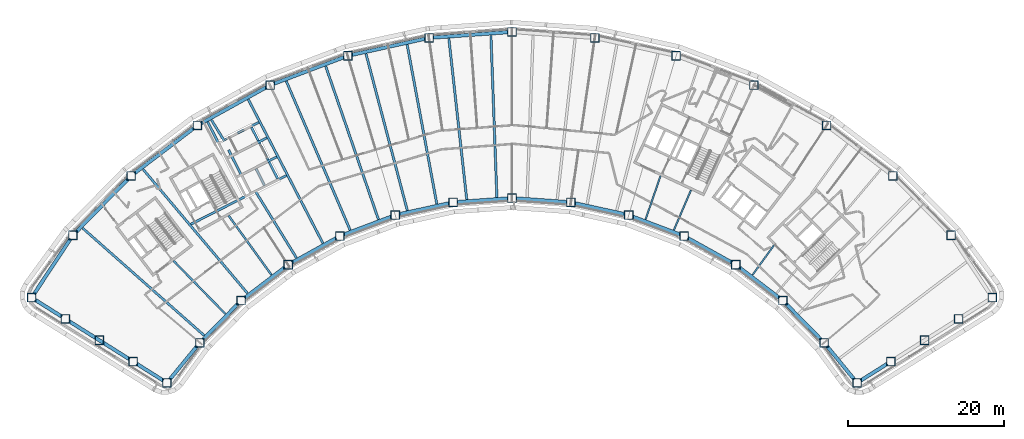
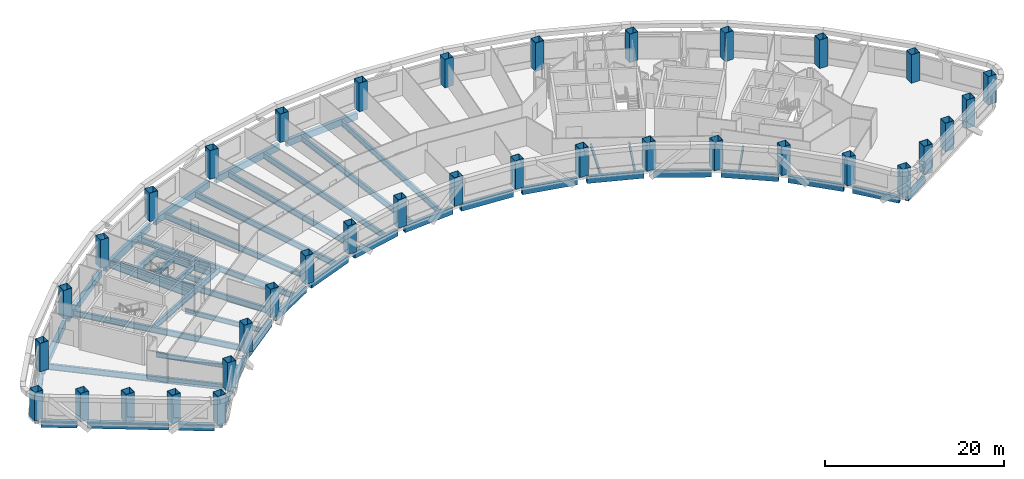
# One storey, part 1 of 16: 51 beams, 36 columns.
"""IFC4 building model written with IfcOpenShell, lengths in metres."""

from ifc_helpers import new_model, si_unit, direction, frame, origin, origin_2d, place, context, subcontext, project, spatial, hollow_rectangle, i_section, extrude, material, material_profile, profile_set, type_object, element, save


model = new_model("IFC4")

# Units and contexts
model_context = context("Model", 3, precision=1e-05, world=origin(), true_north=direction((0.0, 1.0)))
body_context = subcontext(model_context, "Body", "Model", "MODEL_VIEW")
ifc_project = project(units=[si_unit("LENGTHUNIT", "METRE"), si_unit("AREAUNIT", "SQUARE_METRE"), si_unit("VOLUMEUNIT", "CUBIC_METRE"), si_unit("PLANEANGLEUNIT", "RADIAN"), si_unit("MASSUNIT", "GRAM", prefix="KILO")], contexts=[model_context])

# Site, building, storey
site_placement = place(None, origin())
site = spatial("IfcSite", under=ifc_project, at=site_placement, CompositionType="ELEMENT")
building_placement = place(site_placement, origin())
building = spatial("IfcBuilding", under=site, at=building_placement, Name="Tuul Gate Civic Tower", CompositionType="ELEMENT")
storey_placement = place(building_placement, frame((0.0, 0.0, 124.5)))
storey = spatial("IfcBuildingStorey", under=building, at=storey_placement, Name="Level 28", CompositionType="ELEMENT", Elevation=124.5)

# Columns
ifc_material_1 = material(Name="Steel S355", Category="steel")
ifc_material_profile_1 = material_profile(ifc_material_1, hollow_rectangle(XDim=1.10009765625, YDim=1.10009765625, WallThickness=0.035888671875, at=origin_2d()), Name="BOX1100x1100x36")
ifc_profile_set_1 = profile_set([ifc_material_profile_1], Name="Steel S355")
column_type = type_object("IfcColumnType", Name="STR-COLUMN-BOX1100x1100x36", PredefinedType="COLUMN", material=ifc_profile_set_1)
for number, where, z_axis, x_axis, name in (
    (1, (71.5, -20.44189453125, 0.0), (0.0, 0.0, 1.0), (1.0, 0.0, 0.0), "Column"),
    (2, (66.200927734375, -12.428955078125, 0.0), (0.0, 0.0, 1.0), (1.0, 0.0, 0.0), "Column"),
    (3, (58.72607421875, -4.803955078125, 0.0), (0.0, 0.0, 1.0), (1.0, 0.0, 0.0), "Column"),
    (4, (50.23095703125, 1.6640625, 0.0), (0.0, 0.0, 1.0), (1.0, 0.0, 0.0), "Column"),
    (5, (40.89306640625, 6.840087890625, 0.0), (0.0, 0.0, 1.0), (1.0, 0.0, 0.0), "Column"),
    (6, (30.905029296875, 10.616943359375, 0.0), (0.0, 0.0, 1.0), (1.0, 0.0, 0.0), "Column"),
    (7, (20.47802734375, 12.9150390625, 0.0), (0.0, 0.0, 1.0), (1.0, 0.0, 0.0), "Column"),
    (8, (9.8291015625, 13.68603515625, 0.0), (0.0, 0.0, 1.0), (1.0, 0.0, 0.0), "Column"),
    (9, (-0.821044921875, 12.9150390625, 0.0), (0.0, 0.0, 1.0), (1.0, 0.0, 0.0), "Column"),
    (10, (-11.248046875, 10.616943359375, 0.0), (0.0, 0.0, 1.0), (1.0, 0.0, 0.0), "Column"),
    (11, (-21.235107421875, 6.840087890625, 0.0), (0.0, 0.0, 1.0), (1.0, 0.0, 0.0), "Column"),
    (12, (-30.573974609375, 1.6640625, 0.0), (0.0, 0.0, 1.0), (1.0, 0.0, 0.0), "Column"),
    (13, (-39.069091796875, -4.803955078125, 0.0), (0.0, 0.0, 1.0), (1.0, 0.0, 0.0), "Column"),
    (14, (-46.54296875, -12.428955078125, 0.0), (0.0, 0.0, 1.0), (1.0, 0.0, 0.0), "Column"),
    (15, (-51.842041015625, -20.44189453125, 0.0), (0.0, 0.0, 1.0), (1.0, 0.0, 0.0), "Column"),
    (16, (-47.5, -23.176025390625, 0.0), (0.0, 0.0, 1.0), (1.0, 0.0, 0.0), "Column"),
    (17, (-43.156982421875, -25.910888671875, 0.0), (0.0, 0.0, 1.0), (1.0, 0.0, 0.0), "Column"),
    (18, (-38.81494140625, -28.64599609375, 0.0), (0.0, 0.0, 1.0), (1.0, 0.0, 0.0), "Column"),
    (19, (-34.471923828125, -31.3798828125, 0.0), (0.0, 0.0, 1.0), (1.0, 0.0, 0.0), "Column"),
    (20, (-30.251953125, -26.238037109375, 0.0), (0.0, 0.0, 1.0), (1.0, 0.0, 0.0), "Column"),
    (21, (-24.93798828125, -20.81689453125, 0.0), (0.0, 0.0, 1.0), (1.0, 0.0, 0.0), "Column"),
    (22, (-18.89794921875, -16.218017578125, 0.0), (0.0, 0.0, 1.0), (1.0, 0.0, 0.0), "Column"),
    (23, (-12.258056640625, -12.537109375, 0.0), (0.0, 0.0, 1.0), (1.0, 0.0, 0.0), "Column"),
    (24, (-5.156982421875, -9.85205078125, 0.0), (0.0, 0.0, 1.0), (1.0, 0.0, 0.0), "Column"),
    (25, (2.257080078125, -8.218017578125, 0.0), (0.0, 0.0, 1.0), (1.0, 0.0, 0.0), "Column"),
    (26, (9.8291015625, -7.6689453125, 0.0), (0.0, 0.0, 1.0), (1.0, 0.0, 0.0), "Column"),
    (27, (17.40087890625, -8.218017578125, 0.0), (0.0, 0.0, 1.0), (1.0, 0.0, 0.0), "Column"),
    (28, (24.81494140625, -9.85205078125, 0.0), (0.0, 0.0, 1.0), (1.0, 0.0, 0.0), "Column"),
    (29, (31.9150390625, -12.537109375, 0.0), (0.0, 0.0, 1.0), (1.0, 0.0, 0.0), "Column"),
    (30, (38.554931640625, -16.218017578125, 0.0), (0.0, 0.0, 1.0), (1.0, 0.0, 0.0), "Column"),
    (31, (44.595947265625, -20.81689453125, 0.0), (0.0, 0.0, 1.0), (1.0, 0.0, 0.0), "Column"),
    (32, (49.909912109375, -26.238037109375, 0.0), (0.0, 0.0, 1.0), (1.0, 0.0, 0.0), "Column"),
    (33, (54.1298828125, -31.3798828125, 0.0), (0.0, 0.0, 1.0), (1.0, 0.0, 0.0), "Column"),
    (34, (58.471923828125, -28.64599609375, 0.0), (0.0, 0.0, 1.0), (1.0, 0.0, 0.0), "Column"),
    (35, (62.81494140625, -25.910888671875, 0.0), (0.0, 0.0, 1.0), (1.0, 0.0, 0.0), "Column"),
    (36, (67.156982421875, -23.176025390625, 0.0), (0.0, 0.0, 1.0), (1.0, 0.0, 0.0), "Column"),
):
    element("IfcColumn", number, at=place(storey_placement, frame(where, z_axis=z_axis, x_axis=x_axis)), inside=storey, type_object=column_type, Name=name, PredefinedType="COLUMN", context=body_context, shape_type="SweptSolid", body=[
        extrude(hollow_rectangle(XDim=1.10009765625, YDim=1.10009765625, WallThickness=0.035888671875, at=origin_2d()), origin(), (0.0, 0.0, 1.0), 3.89990234375),
    ])

# Beams
ifc_material_2 = material(Name="Steel S355", Category="steel")
ifc_material_profile_2 = material_profile(ifc_material_2, i_section(OverallWidth=0.199951171875, OverallDepth=0.5, WebThickness=0.010009765625, FlangeThickness=0.01611328125, at=origin_2d()), Name="PG500x200x10x16")
ifc_profile_set_2 = profile_set([ifc_material_profile_2], Name="Steel S355")
beam_type_1 = type_object("IfcBeamType", Name="STR-FLOOR BEAM-PG500x200x10x16", PredefinedType="BEAM", material=ifc_profile_set_2)
beam_1_placement = place(storey_placement, frame((40.6982421875, -17.535400390625, -0.550048828125), z_axis=(0.586092436702, 0.810244195068, 0.0), x_axis=(-0.810244195068, 0.586092436702, 0.0)))
element("IfcBeam", 37, at=beam_1_placement, inside=storey, type_object=beam_type_1, Name="Floor beam", PredefinedType="BEAM", context=body_context, shape_type="SweptSolid", body=[
    extrude(i_section(OverallWidth=0.199951171875, OverallDepth=0.5, WebThickness=0.010009765625, FlangeThickness=0.01611328125, at=origin_2d()), origin(), (0.0, 0.0, 1.0), 4.73779296875),
])
beam_2_placement = place(storey_placement, frame((30.60546875, -11.7744140625, -0.550048828125), z_axis=(0.394202846621, 0.919023457653, 0.0), x_axis=(-0.919023457653, 0.394202846621, 0.0)))
element("IfcBeam", 38, at=beam_2_placement, inside=storey, type_object=beam_type_1, Name="Floor beam", PredefinedType="BEAM", context=body_context, shape_type="SweptSolid", body=[
    extrude(i_section(OverallWidth=0.199951171875, OverallDepth=0.5, WebThickness=0.010009765625, FlangeThickness=0.01611328125, at=origin_2d()), origin(), (0.0, 0.0, 1.0), 5.611083984375),
])
beam_3_placement = place(storey_placement, frame((26.97509765625, -10.401611328125, -0.550048828125), z_axis=(0.325486996398, 0.945546516664, 0.0), x_axis=(-0.945546516664, 0.325486996398, 0.0)))
element("IfcBeam", 39, at=beam_3_placement, inside=storey, type_object=beam_type_1, Name="Floor beam", PredefinedType="BEAM", context=body_context, shape_type="SweptSolid", body=[
    extrude(i_section(OverallWidth=0.199951171875, OverallDepth=0.5, WebThickness=0.010009765625, FlangeThickness=0.01611328125, at=origin_2d()), origin(), (0.0, 0.0, 1.0), 5.930908203125),
])
ifc_material_3 = material(Name="Steel S355", Category="steel")
ifc_material_profile_3 = material_profile(ifc_material_3, i_section(OverallWidth=0.25, OverallDepth=0.64990234375, WebThickness=0.011962890625, FlangeThickness=0.02001953125, at=origin_2d()), Name="PG650x250x12x20")
ifc_profile_set_3 = profile_set([ifc_material_profile_3], Name="Steel S355")
beam_type_2 = type_object("IfcBeamType", Name="STR-FLOOR BEAM-PG650x250x12x20", PredefinedType="BEAM", material=ifc_profile_set_3)
beam_4_placement = place(storey_placement, frame((-21.040771484375, -17.53515625, -0.625), z_axis=(-0.586071957424, 0.810259008417, 0.0), x_axis=(-0.810259008417, -0.586071957424, 0.0)))
element("IfcBeam", 40, at=beam_4_placement, inside=storey, type_object=beam_type_2, Name="Floor beam", PredefinedType="BEAM", context=body_context, shape_type="SweptSolid", body=[
    extrude(i_section(OverallWidth=0.25, OverallDepth=0.64990234375, WebThickness=0.011962890625, FlangeThickness=0.02001953125, at=origin_2d()), origin(), (0.0, 0.0, 1.0), 9.4111328125),
])
beam_5_placement = place(storey_placement, frame((-26.96923828125, -22.531982421875, -0.625), z_axis=(-0.698693179665, 0.715421442711, 0.0), x_axis=(-0.715421442711, -0.698693179665, 0.0)))
element("IfcBeam", 41, at=beam_5_placement, inside=storey, type_object=beam_type_2, Name="Floor beam", PredefinedType="BEAM", context=body_context, shape_type="SweptSolid", body=[
    extrude(i_section(OverallWidth=0.25, OverallDepth=0.64990234375, WebThickness=0.011962890625, FlangeThickness=0.02001953125, at=origin_2d()), origin(), (0.0, 0.0, 1.0), 9.5302734375),
])
ifc_material_4 = material(Name="Steel S355", Category="steel")
ifc_material_profile_4 = material_profile(ifc_material_4, i_section(OverallWidth=0.300048828125, OverallDepth=0.800048828125, WebThickness=0.013916015625, FlangeThickness=0.02490234375, at=origin_2d()), Name="PG800x300x14x25")
ifc_profile_set_4 = profile_set([ifc_material_profile_4], Name="Steel S355")
beam_type_3 = type_object("IfcBeamType", Name="STR-FLOOR BEAM-PG800x300x14x25", PredefinedType="BEAM", material=ifc_profile_set_4)
beam_6_placement = place(storey_placement, frame((7.888427734375, -7.55908203125, -0.699951171875), z_axis=(-0.036822059508, 0.999321838015, 0.0), x_axis=(-0.999321838015, -0.036822059508, 0.0)))
element("IfcBeam", 42, at=beam_6_placement, inside=storey, type_object=beam_type_3, Name="Floor beam", PredefinedType="BEAM", context=body_context, shape_type="SweptSolid", body=[
    extrude(i_section(OverallWidth=0.300048828125, OverallDepth=0.800048828125, WebThickness=0.013916015625, FlangeThickness=0.02490234375, at=origin_2d()), origin(), (0.0, 0.0, 1.0), 20.8125),
])
beam_7_placement = place(storey_placement, frame((4.017578125, -7.839599609375, -0.699951171875), z_axis=(-0.110277043848, 0.993900887212, 0.0), x_axis=(-0.993900887212, -0.110277043848, 0.0)))
element("IfcBeam", 43, at=beam_7_placement, inside=storey, type_object=beam_type_3, Name="Floor beam", PredefinedType="BEAM", context=body_context, shape_type="SweptSolid", body=[
    extrude(i_section(OverallWidth=0.300048828125, OverallDepth=0.800048828125, WebThickness=0.013916015625, FlangeThickness=0.02490234375, at=origin_2d()), origin(), (0.0, 0.0, 1.0), 20.81494140625),
])
beam_8_placement = place(storey_placement, frame((0.180419921875, -8.419677734375, -0.699951171875), z_axis=(-0.183145230157, 0.983085868412, 0.0), x_axis=(-0.983085868412, -0.183145230157, 0.0)))
element("IfcBeam", 44, at=beam_8_placement, inside=storey, type_object=beam_type_3, Name="Floor beam", PredefinedType="BEAM", context=body_context, shape_type="SweptSolid", body=[
    extrude(i_section(OverallWidth=0.300048828125, OverallDepth=0.800048828125, WebThickness=0.013916015625, FlangeThickness=0.02490234375, at=origin_2d()), origin(), (0.0, 0.0, 1.0), 20.8115234375),
])
beam_9_placement = place(storey_placement, frame((-3.609619140625, -9.2548828125, -0.699951171875), z_axis=(-0.255004720301, 0.96693980817, 0.0), x_axis=(-0.96693980817, -0.255004720301, 0.0)))
element("IfcBeam", 45, at=beam_9_placement, inside=storey, type_object=beam_type_3, Name="Floor beam", PredefinedType="BEAM", context=body_context, shape_type="SweptSolid", body=[
    extrude(i_section(OverallWidth=0.300048828125, OverallDepth=0.800048828125, WebThickness=0.013916015625, FlangeThickness=0.02490234375, at=origin_2d()), origin(), (0.0, 0.0, 1.0), 20.817626953125),
])
beam_10_placement = place(storey_placement, frame((-7.3173828125, -10.401611328125, -0.699951171875), z_axis=(-0.325486974479, 0.945546524209, 0.0), x_axis=(-0.945546524209, -0.325486974479, 0.0)))
element("IfcBeam", 46, at=beam_10_placement, inside=storey, type_object=beam_type_3, Name="Floor beam", PredefinedType="BEAM", context=body_context, shape_type="SweptSolid", body=[
    extrude(i_section(OverallWidth=0.300048828125, OverallDepth=0.800048828125, WebThickness=0.013916015625, FlangeThickness=0.02490234375, at=origin_2d()), origin(), (0.0, 0.0, 1.0), 20.809326171875),
])
beam_11_placement = place(storey_placement, frame((-10.94775390625, -11.774169921875, -0.699951171875), z_axis=(-0.394200920337, 0.919024283904, 0.0), x_axis=(-0.919024283904, -0.394200920337, 0.0)))
element("IfcBeam", 47, at=beam_11_placement, inside=storey, type_object=beam_type_3, Name="Floor beam", PredefinedType="BEAM", context=body_context, shape_type="SweptSolid", body=[
    extrude(i_section(OverallWidth=0.300048828125, OverallDepth=0.800048828125, WebThickness=0.013916015625, FlangeThickness=0.02490234375, at=origin_2d()), origin(), (0.0, 0.0, 1.0), 20.8193359375),
])
beam_12_placement = place(storey_placement, frame((-14.442626953125, -13.462158203125, -0.699951171875), z_axis=(-0.460777059353, 0.887515916237, 0.0), x_axis=(-0.887515916237, -0.460777059353, 0.0)))
element("IfcBeam", 48, at=beam_12_placement, inside=storey, type_object=beam_type_3, Name="Floor beam", PredefinedType="BEAM", context=body_context, shape_type="SweptSolid", body=[
    extrude(i_section(OverallWidth=0.300048828125, OverallDepth=0.800048828125, WebThickness=0.013916015625, FlangeThickness=0.02490234375, at=origin_2d()), origin(), (0.0, 0.0, 1.0), 20.8076171875),
])
beam_13_placement = place(storey_placement, frame((-17.837158203125, -15.343994140625, -0.699951171875), z_axis=(-0.524856706834, 0.851190599861, 0.0), x_axis=(-0.851190599861, -0.524856706834, 0.0)))
element("IfcBeam", 49, at=beam_13_placement, inside=storey, type_object=beam_type_3, Name="Floor beam", PredefinedType="BEAM", context=body_context, shape_type="SweptSolid", body=[
    extrude(i_section(OverallWidth=0.300048828125, OverallDepth=0.800048828125, WebThickness=0.013916015625, FlangeThickness=0.02490234375, at=origin_2d()), origin(), (0.0, 0.0, 1.0), 20.82275390625),
])
beam_14_placement = place(storey_placement, frame((-24.12890625, -19.88671875, -0.699951171875), z_axis=(-0.644132135775, 0.764914238109, 0.0), x_axis=(-0.764914238109, -0.644132135775, 0.0)))
element("IfcBeam", 50, at=beam_14_placement, inside=storey, type_object=beam_type_3, Name="Floor beam", PredefinedType="BEAM", context=body_context, shape_type="SweptSolid", body=[
    extrude(i_section(OverallWidth=0.300048828125, OverallDepth=0.800048828125, WebThickness=0.013916015625, FlangeThickness=0.02490234375, at=origin_2d()), origin(), (0.0, 0.0, 1.0), 20.82568359375),
])
beam_15_placement = place(storey_placement, frame((-29.686767578125, -25.30419921875, -0.699951171875), z_axis=(-0.749447427269, 0.662063859277, 0.0), x_axis=(-0.662063859277, -0.749447427269, 0.0)))
element("IfcBeam", 51, at=beam_15_placement, inside=storey, type_object=beam_type_3, Name="Floor beam", PredefinedType="BEAM", context=body_context, shape_type="SweptSolid", body=[
    extrude(i_section(OverallWidth=0.300048828125, OverallDepth=0.800048828125, WebThickness=0.013916015625, FlangeThickness=0.02490234375, at=origin_2d()), origin(), (0.0, 0.0, 1.0), 20.82861328125),
])
beam_16_placement = place(storey_placement, frame((-19.1279296875, -4.762939453125, -0.699951171875), z_axis=(-0.890986861795, -0.454029087294, 0.0), x_axis=(0.454029087294, -0.890986861795, 0.0)))
element("IfcBeam", 52, at=beam_16_placement, inside=storey, type_object=beam_type_3, Name="Floor beam", PredefinedType="BEAM", context=body_context, shape_type="SweptSolid", body=[
    extrude(i_section(OverallWidth=0.300048828125, OverallDepth=0.800048828125, WebThickness=0.013916015625, FlangeThickness=0.02490234375, at=origin_2d()), origin(), (0.0, 0.0, 1.0), 4.31884765625),
])
beam_17_placement = place(storey_placement, frame((-23.244384765625, -6.860595703125, -0.699951171875), z_axis=(-0.89100408468, -0.453995287513, 0.0), x_axis=(0.453995287513, -0.89100408468, 0.0)))
element("IfcBeam", 53, at=beam_17_placement, inside=storey, type_object=beam_type_3, Name="Floor beam", PredefinedType="BEAM", context=body_context, shape_type="SweptSolid", body=[
    extrude(i_section(OverallWidth=0.300048828125, OverallDepth=0.800048828125, WebThickness=0.013916015625, FlangeThickness=0.02490234375, at=origin_2d()), origin(), (0.0, 0.0, 1.0), 9.1552734375),
])
beam_18_placement = place(storey_placement, frame((-20.3720703125, -2.366455078125, -0.699951171875), z_axis=(-0.890986298779, -0.454030192155, 0.0), x_axis=(0.454030192155, -0.890986298779, 0.0)))
element("IfcBeam", 54, at=beam_18_placement, inside=storey, type_object=beam_type_3, Name="Floor beam", PredefinedType="BEAM", context=body_context, shape_type="SweptSolid", body=[
    extrude(i_section(OverallWidth=0.300048828125, OverallDepth=0.800048828125, WebThickness=0.013916015625, FlangeThickness=0.02490234375, at=origin_2d()), origin(), (0.0, 0.0, 1.0), 4.5185546875),
])
beam_19_placement = place(storey_placement, frame((-21.63916015625, 0.07421875, -0.699951171875), z_axis=(-0.891009505625, -0.453984648293, 0.0), x_axis=(0.453984648293, -0.891009505625, 0.0)))
element("IfcBeam", 55, at=beam_19_placement, inside=storey, type_object=beam_type_3, Name="Floor beam", PredefinedType="BEAM", context=body_context, shape_type="SweptSolid", body=[
    extrude(i_section(OverallWidth=0.300048828125, OverallDepth=0.800048828125, WebThickness=0.013916015625, FlangeThickness=0.02490234375, at=origin_2d()), origin(), (0.0, 0.0, 1.0), 4.7216796875),
])
beam_20_placement = place(storey_placement, frame((-22.676025390625, 2.071044921875, -0.699951171875), z_axis=(-0.891004806101, -0.453993871659, 0.0), x_axis=(0.453993871659, -0.891004806101, 0.0)))
element("IfcBeam", 56, at=beam_20_placement, inside=storey, type_object=beam_type_3, Name="Floor beam", PredefinedType="BEAM", context=body_context, shape_type="SweptSolid", body=[
    extrude(i_section(OverallWidth=0.300048828125, OverallDepth=0.800048828125, WebThickness=0.013916015625, FlangeThickness=0.02490234375, at=origin_2d()), origin(), (0.0, 0.0, 1.0), 4.8876953125),
])
beam_21_placement = place(storey_placement, frame((-20.2509765625, -5.166748046875, -0.699951171875), z_axis=(-0.45399587725, 0.891003784189, 0.0), x_axis=(-0.891003784189, -0.45399587725, 0.0)))
element("IfcBeam", 57, at=beam_21_placement, inside=storey, type_object=beam_type_3, Name="Floor beam", PredefinedType="BEAM", context=body_context, shape_type="SweptSolid", body=[
    extrude(i_section(OverallWidth=0.300048828125, OverallDepth=0.800048828125, WebThickness=0.013916015625, FlangeThickness=0.02490234375, at=origin_2d()), origin(), (0.0, 0.0, 1.0), 2.39990234375),
])
beam_22_placement = place(storey_placement, frame((-21.476806640625, -2.760986328125, -0.699951171875), z_axis=(-0.454016840826, 0.890993102244, 0.0), x_axis=(-0.890993102244, -0.454016840826, 0.0)))
element("IfcBeam", 58, at=beam_22_placement, inside=storey, type_object=beam_type_3, Name="Floor beam", PredefinedType="BEAM", context=body_context, shape_type="SweptSolid", body=[
    extrude(i_section(OverallWidth=0.300048828125, OverallDepth=0.800048828125, WebThickness=0.013916015625, FlangeThickness=0.02490234375, at=origin_2d()), origin(), (0.0, 0.0, 1.0), 2.449951171875),
])
beam_23_placement = place(storey_placement, frame((-22.72509765625, -0.310791015625, -0.699951171875), z_axis=(-0.454111452849, 0.890944885159, 0.0), x_axis=(-0.890944885159, -0.454111452849, 0.0)))
element("IfcBeam", 59, at=beam_23_placement, inside=storey, type_object=beam_type_3, Name="Floor beam", PredefinedType="BEAM", context=body_context, shape_type="SweptSolid", body=[
    extrude(i_section(OverallWidth=0.300048828125, OverallDepth=0.800048828125, WebThickness=0.013916015625, FlangeThickness=0.02490234375, at=origin_2d()), origin(), (0.0, 0.0, 1.0), 1.949951171875),
])
beam_24_placement = place(storey_placement, frame((-21.94384765625, -6.029296875, -0.699951171875), z_axis=(-0.45399587725, 0.891003784189, 0.0), x_axis=(-0.891003784189, -0.45399587725, 0.0)))
element("IfcBeam", 60, at=beam_24_placement, inside=storey, type_object=beam_type_3, Name="Floor beam", PredefinedType="BEAM", context=body_context, shape_type="SweptSolid", body=[
    extrude(i_section(OverallWidth=0.300048828125, OverallDepth=0.800048828125, WebThickness=0.013916015625, FlangeThickness=0.02490234375, at=origin_2d()), origin(), (0.0, 0.0, 1.0), 2.39990234375),
])
beam_25_placement = place(storey_placement, frame((-23.770263671875, -6.960205078125, -0.699951171875), z_axis=(-0.453989339683, 0.891007115266, 0.0), x_axis=(-0.891007115266, -0.453989339683, 0.0)))
element("IfcBeam", 61, at=beam_25_placement, inside=storey, type_object=beam_type_3, Name="Floor beam", PredefinedType="BEAM", context=body_context, shape_type="SweptSolid", body=[
    extrude(i_section(OverallWidth=0.300048828125, OverallDepth=0.800048828125, WebThickness=0.013916015625, FlangeThickness=0.02490234375, at=origin_2d()), origin(), (0.0, 0.0, 1.0), 6.156982421875),
])
beam_26_placement = place(storey_placement, frame((-24.4384765625, -7.300537109375, -0.699951171875), z_axis=(-0.454020347132, 0.890991315553, 0.0), x_axis=(-0.890991315553, -0.454020347132, 0.0)))
element("IfcBeam", 62, at=beam_26_placement, inside=storey, type_object=beam_type_3, Name="Floor beam", PredefinedType="BEAM", context=body_context, shape_type="SweptSolid", body=[
    extrude(i_section(OverallWidth=0.300048828125, OverallDepth=0.800048828125, WebThickness=0.013916015625, FlangeThickness=0.02490234375, at=origin_2d()), origin(), (0.0, 0.0, 1.0), 10.596435546875),
])
ifc_material_5 = material(Name="Steel S355", Category="steel")
ifc_material_profile_5 = material_profile(ifc_material_5, hollow_rectangle(XDim=0.449951171875, YDim=0.89990234375, WallThickness=0.02490234375, at=origin_2d()), Name="BOX900x450x25")
ifc_profile_set_5 = profile_set([ifc_material_profile_5], Name="Steel S355")
beam_type_4 = type_object("IfcBeamType", Name="STR-SPANDREL BEAM-BOX900x450x25", PredefinedType="BEAM", material=ifc_profile_set_5)
beam_27_placement = place(storey_placement, frame((9.280517578125, 13.646240234375, -0.75), z_axis=(-0.997391103387, -0.072187165652, 0.0), x_axis=(0.072187165652, -0.997391103387, 0.0)))
element("IfcBeam", 63, at=beam_27_placement, inside=storey, type_object=beam_type_4, Name="Spandrel beam", PredefinedType="BEAM", context=body_context, shape_type="SweptSolid", body=[
    extrude(hollow_rectangle(XDim=0.449951171875, YDim=0.89990234375, WallThickness=0.02490234375, at=origin_2d()), origin(), (0.0, 0.0, 1.0), 9.577880859375),
])
for number, where, z_axis, x_axis, name in (
    (64, (-1.358154296875, 12.796630859375, -0.75), (-0.976564052188, -0.215226977802, 0.0), (0.215226977802, -0.976564052188, 0.0), "Spandrel beam"),
    (65, (-11.762451171875, 10.42236328125, -0.75), (-0.935349182436, -0.353725750994, 0.0), (0.353725750994, -0.935349182436, 0.0), "Spandrel beam"),
):
    element("IfcBeam", number, at=place(storey_placement, frame(where, z_axis=z_axis, x_axis=x_axis)), inside=storey, type_object=beam_type_4, Name=name, PredefinedType="BEAM", context=body_context, shape_type="SweptSolid", body=[
        extrude(hollow_rectangle(XDim=0.449951171875, YDim=0.89990234375, WallThickness=0.02490234375, at=origin_2d()), origin(), (0.0, 0.0, 1.0), 9.5771484375),
    ])
beam_28_placement = place(storey_placement, frame((-21.716064453125, 6.573486328125, -0.75), z_axis=(-0.874646210848, -0.484761803208, 0.0), x_axis=(0.484761803208, -0.874646210848, 0.0)))
element("IfcBeam", 66, at=beam_28_placement, inside=storey, type_object=beam_type_4, Name="Spandrel beam", PredefinedType="BEAM", context=body_context, shape_type="SweptSolid", body=[
    extrude(hollow_rectangle(XDim=0.449951171875, YDim=0.89990234375, WallThickness=0.02490234375, at=origin_2d()), origin(), (0.0, 0.0, 1.0), 9.57763671875),
])
beam_29_placement = place(storey_placement, frame((-31.011474609375, 1.330810546875, -0.75), z_axis=(-0.795638245076, -0.605772055292, 0.0), x_axis=(0.605772055292, -0.795638245076, 0.0)))
element("IfcBeam", 67, at=beam_29_placement, inside=storey, type_object=beam_type_4, Name="Spandrel beam", PredefinedType="BEAM", context=body_context, shape_type="SweptSolid", body=[
    extrude(hollow_rectangle(XDim=0.449951171875, YDim=0.89990234375, WallThickness=0.02490234375, at=origin_2d()), origin(), (0.0, 0.0, 1.0), 9.5771484375),
])
beam_30_placement = place(storey_placement, frame((-39.4541015625, -5.19677734375, -0.75), z_axis=(-0.699997238657, -0.714145549501, 0.0), x_axis=(0.714145549501, -0.699997238657, 0.0)))
element("IfcBeam", 68, at=beam_30_placement, inside=storey, type_object=beam_type_4, Name="Spandrel beam", PredefinedType="BEAM", context=body_context, shape_type="SweptSolid", body=[
    extrude(hollow_rectangle(XDim=0.449951171875, YDim=0.89990234375, WallThickness=0.02490234375, at=origin_2d()), origin(), (0.0, 0.0, 1.0), 9.576904296875),
])
beam_31_placement = place(storey_placement, frame((-46.846435546875, -12.8876953125, -0.75), z_axis=(-0.551590080745, -0.83411532945, 0.0), x_axis=(0.83411532945, -0.551590080745, 0.0)))
element("IfcBeam", 69, at=beam_31_placement, inside=storey, type_object=beam_type_4, Name="Spandrel beam", PredefinedType="BEAM", context=body_context, shape_type="SweptSolid", body=[
    extrude(hollow_rectangle(XDim=0.449951171875, YDim=0.89990234375, WallThickness=0.02490234375, at=origin_2d()), origin(), (0.0, 0.0, 1.0), 8.506591796875),
])
beam_32_placement = place(storey_placement, frame((-51.37646484375, -20.735107421875, -0.75), z_axis=(0.846210588651, -0.532848608571, 0.0), x_axis=(0.532848608571, 0.846210588651, 0.0)))
element("IfcBeam", 70, at=beam_32_placement, inside=storey, type_object=beam_type_4, Name="Spandrel beam", PredefinedType="BEAM", context=body_context, shape_type="SweptSolid", body=[
    extrude(hollow_rectangle(XDim=0.449951171875, YDim=0.89990234375, WallThickness=0.02490234375, at=origin_2d()), origin(), (0.0, 0.0, 1.0), 4.031005859375),
])
beam_33_placement = place(storey_placement, frame((-47.03466796875, -23.468994140625, -0.75), z_axis=(0.846164320765, -0.53292207898, 0.0), x_axis=(0.53292207898, 0.846164320765, 0.0)))
element("IfcBeam", 71, at=beam_33_placement, inside=storey, type_object=beam_type_4, Name="Spandrel beam", PredefinedType="BEAM", context=body_context, shape_type="SweptSolid", body=[
    extrude(hollow_rectangle(XDim=0.449951171875, YDim=0.89990234375, WallThickness=0.02490234375, at=origin_2d()), origin(), (0.0, 0.0, 1.0), 9.1640625),
])
beam_34_placement = place(storey_placement, frame((-38.349609375, -28.93896484375, -0.75), z_axis=(0.846279351523, -0.532739391435, 0.0), x_axis=(0.532739391435, 0.846279351523, 0.0)))
element("IfcBeam", 72, at=beam_34_placement, inside=storey, type_object=beam_type_4, Name="Spandrel beam", PredefinedType="BEAM", context=body_context, shape_type="SweptSolid", body=[
    extrude(hollow_rectangle(XDim=0.449951171875, YDim=0.89990234375, WallThickness=0.02490234375, at=origin_2d()), origin(), (0.0, 0.0, 1.0), 4.031982421875),
])
beam_35_placement = place(storey_placement, frame((-34.123046875, -30.954833984375, -0.75), z_axis=(0.634400839416, 0.773004252866, 0.0), x_axis=(-0.773004252866, 0.634400839416, 0.0)))
element("IfcBeam", 73, at=beam_35_placement, inside=storey, type_object=beam_type_4, Name="Spandrel beam", PredefinedType="BEAM", context=body_context, shape_type="SweptSolid", body=[
    extrude(hollow_rectangle(XDim=0.449951171875, YDim=0.89990234375, WallThickness=0.02490234375, at=origin_2d()), origin(), (0.0, 0.0, 1.0), 5.552001953125),
])
beam_36_placement = place(storey_placement, frame((-29.866943359375, -25.84521484375, -0.75), z_axis=(0.700019515807, 0.714123713014, 0.0), x_axis=(-0.714123713014, 0.700019515807, 0.0)))
element("IfcBeam", 74, at=beam_36_placement, inside=storey, type_object=beam_type_4, Name="Spandrel beam", PredefinedType="BEAM", context=body_context, shape_type="SweptSolid", body=[
    extrude(hollow_rectangle(XDim=0.449951171875, YDim=0.89990234375, WallThickness=0.02490234375, at=origin_2d()), origin(), (0.0, 0.0, 1.0), 6.4912109375),
])
beam_37_placement = place(storey_placement, frame((-24.50048828125, -20.48388671875, -0.75), z_axis=(0.795614709781, 0.605802965972, 0.0), x_axis=(-0.605802965972, 0.795614709781, 0.0)))
element("IfcBeam", 75, at=beam_37_placement, inside=storey, type_object=beam_type_4, Name="Spandrel beam", PredefinedType="BEAM", context=body_context, shape_type="SweptSolid", body=[
    extrude(hollow_rectangle(XDim=0.449951171875, YDim=0.89990234375, WallThickness=0.02490234375, at=origin_2d()), origin(), (0.0, 0.0, 1.0), 6.49169921875),
])
beam_38_placement = place(storey_placement, frame((-18.4169921875, -15.951416015625, -0.75), z_axis=(0.874596833749, 0.484850882639, 0.0), x_axis=(-0.484850882639, 0.874596833749, 0.0)))
element("IfcBeam", 76, at=beam_38_placement, inside=storey, type_object=beam_type_4, Name="Spandrel beam", PredefinedType="BEAM", context=body_context, shape_type="SweptSolid", body=[
    extrude(hollow_rectangle(XDim=0.449951171875, YDim=0.89990234375, WallThickness=0.02490234375, at=origin_2d()), origin(), (0.0, 0.0, 1.0), 6.4921875),
])
beam_39_placement = place(storey_placement, frame((-11.74365234375, -12.342529296875, -0.75), z_axis=(0.935373699363, 0.353660914635, 0.0), x_axis=(-0.353660914635, 0.935373699363, 0.0)))
element("IfcBeam", 77, at=beam_39_placement, inside=storey, type_object=beam_type_4, Name="Spandrel beam", PredefinedType="BEAM", context=body_context, shape_type="SweptSolid", body=[
    extrude(hollow_rectangle(XDim=0.449951171875, YDim=0.89990234375, WallThickness=0.02490234375, at=origin_2d()), origin(), (0.0, 0.0, 1.0), 6.49169921875),
])
for number, where, z_axis, x_axis, name in (
    (78, (-4.619873046875, -9.733642578125, -0.75), (0.976565169857, 0.215221906465, 0.0), (-0.215221906465, 0.976565169857, 0.0), "Spandrel beam"),
    (79, (2.8056640625, -8.17822265625, -0.75), (0.99738157331, 0.072318719712, 0.0), (-0.072318719712, 0.99738157331, 0.0), "Spandrel beam"),
):
    element("IfcBeam", number, at=place(storey_placement, frame(where, z_axis=z_axis, x_axis=x_axis)), inside=storey, type_object=beam_type_4, Name=name, PredefinedType="BEAM", context=body_context, shape_type="SweptSolid", body=[
        extrude(hollow_rectangle(XDim=0.449951171875, YDim=0.89990234375, WallThickness=0.02490234375, at=origin_2d()), origin(), (0.0, 0.0, 1.0), 6.491943359375),
    ])
beam_40_placement = place(storey_placement, frame((10.37744140625, -7.708740234375, -0.75), z_axis=(0.997381769985, -0.072316007227, 0.0), x_axis=(0.072316007227, 0.997381769985, 0.0)))
element("IfcBeam", 80, at=beam_40_placement, inside=storey, type_object=beam_type_4, Name="Spandrel beam", PredefinedType="BEAM", context=body_context, shape_type="SweptSolid", body=[
    extrude(hollow_rectangle(XDim=0.449951171875, YDim=0.89990234375, WallThickness=0.02490234375, at=origin_2d()), origin(), (0.0, 0.0, 1.0), 6.4921875),
])
beam_41_placement = place(storey_placement, frame((17.93798828125, -8.33642578125, -0.75), z_axis=(0.976565169857, -0.215221906465, 0.0), x_axis=(0.215221906465, 0.976565169857, 0.0)))
element("IfcBeam", 81, at=beam_41_placement, inside=storey, type_object=beam_type_4, Name="Spandrel beam", PredefinedType="BEAM", context=body_context, shape_type="SweptSolid", body=[
    extrude(hollow_rectangle(XDim=0.449951171875, YDim=0.89990234375, WallThickness=0.02490234375, at=origin_2d()), origin(), (0.0, 0.0, 1.0), 6.491943359375),
])
beam_42_placement = place(storey_placement, frame((25.329345703125, -10.046630859375, -0.75), z_axis=(0.935354880203, -0.353710684149, 0.0), x_axis=(0.353710684149, 0.935354880203, 0.0)))
element("IfcBeam", 82, at=beam_42_placement, inside=storey, type_object=beam_type_4, Name="Spandrel beam", PredefinedType="BEAM", context=body_context, shape_type="SweptSolid", body=[
    extrude(hollow_rectangle(XDim=0.449951171875, YDim=0.89990234375, WallThickness=0.02490234375, at=origin_2d()), origin(), (0.0, 0.0, 1.0), 6.490966796875),
])
beam_43_placement = place(storey_placement, frame((32.39599609375, -12.8037109375, -0.75), z_axis=(0.874596833749, -0.484850882639, 0.0), x_axis=(0.484850882639, 0.874596833749, 0.0)))
element("IfcBeam", 83, at=beam_43_placement, inside=storey, type_object=beam_type_4, Name="Spandrel beam", PredefinedType="BEAM", context=body_context, shape_type="SweptSolid", body=[
    extrude(hollow_rectangle(XDim=0.449951171875, YDim=0.89990234375, WallThickness=0.02490234375, at=origin_2d()), origin(), (0.0, 0.0, 1.0), 6.4921875),
])
beam_44_placement = place(storey_placement, frame((38.99267578125, -16.55126953125, -0.75), z_axis=(0.79566990921, -0.605730464462, 0.0), x_axis=(0.605730464462, 0.79566990921, 0.0)))
element("IfcBeam", 84, at=beam_44_placement, inside=storey, type_object=beam_type_4, Name="Spandrel beam", PredefinedType="BEAM", context=body_context, shape_type="SweptSolid", body=[
    extrude(hollow_rectangle(XDim=0.449951171875, YDim=0.89990234375, WallThickness=0.02490234375, at=origin_2d()), origin(), (0.0, 0.0, 1.0), 6.492431640625),
])
beam_45_placement = place(storey_placement, frame((44.98095703125, -21.209716796875, -0.75), z_axis=(0.700019515807, -0.714123713014, 0.0), x_axis=(0.714123713014, 0.700019515807, 0.0)))
element("IfcBeam", 85, at=beam_45_placement, inside=storey, type_object=beam_type_4, Name="Spandrel beam", PredefinedType="BEAM", context=body_context, shape_type="SweptSolid", body=[
    extrude(hollow_rectangle(XDim=0.449951171875, YDim=0.89990234375, WallThickness=0.02490234375, at=origin_2d()), origin(), (0.0, 0.0, 1.0), 6.4912109375),
])
beam_46_placement = place(storey_placement, frame((50.259033203125, -26.6630859375, -0.75), z_axis=(0.634374562786, -0.773025817221, 0.0), x_axis=(0.773025817221, 0.634374562786, 0.0)))
element("IfcBeam", 86, at=beam_46_placement, inside=storey, type_object=beam_type_4, Name="Spandrel beam", PredefinedType="BEAM", context=body_context, shape_type="SweptSolid", body=[
    extrude(hollow_rectangle(XDim=0.449951171875, YDim=0.89990234375, WallThickness=0.02490234375, at=origin_2d()), origin(), (0.0, 0.0, 1.0), 5.552001953125),
])
beam_47_placement = place(storey_placement, frame((54.595458984375, -31.0869140625, -0.75), z_axis=(0.846210588651, 0.532848608571, 0.0), x_axis=(-0.532848608571, 0.846210588651, 0.0)))
element("IfcBeam", 87, at=beam_47_placement, inside=storey, type_object=beam_type_4, Name="Spandrel beam", PredefinedType="BEAM", context=body_context, shape_type="SweptSolid", body=[
    extrude(hollow_rectangle(XDim=0.449951171875, YDim=0.89990234375, WallThickness=0.02490234375, at=origin_2d()), origin(), (0.0, 0.0, 1.0), 4.031005859375),
])

save(model, "model.ifc")
